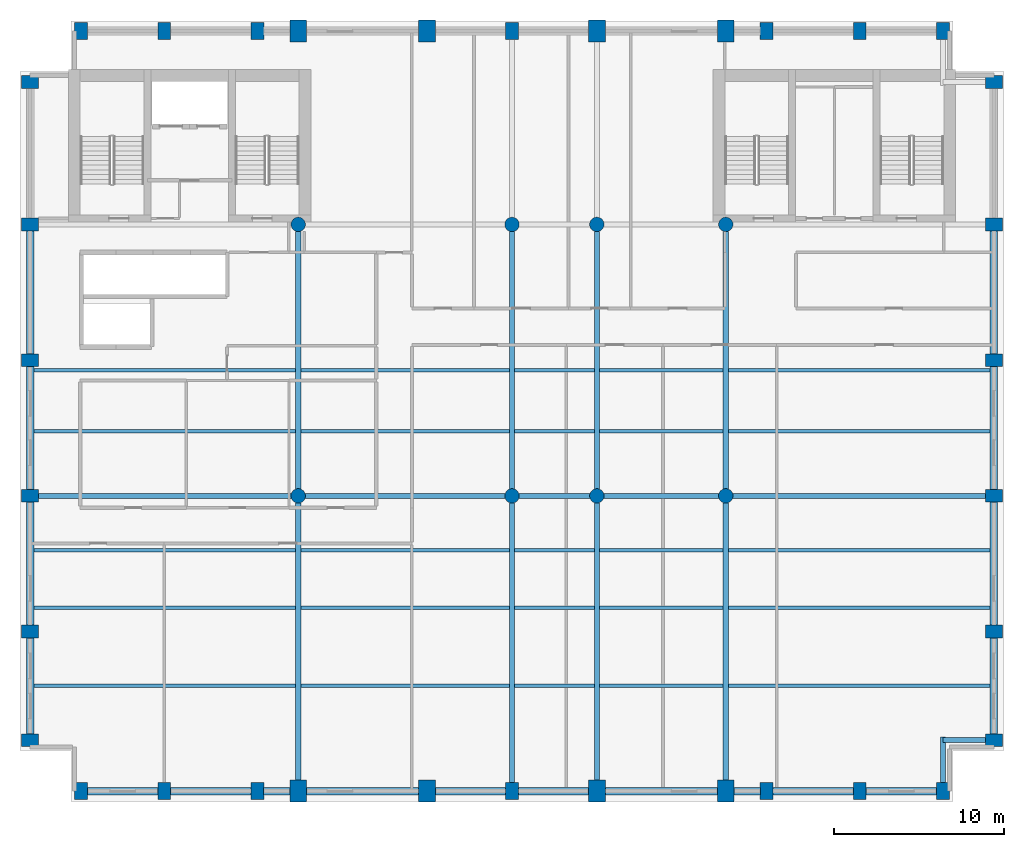
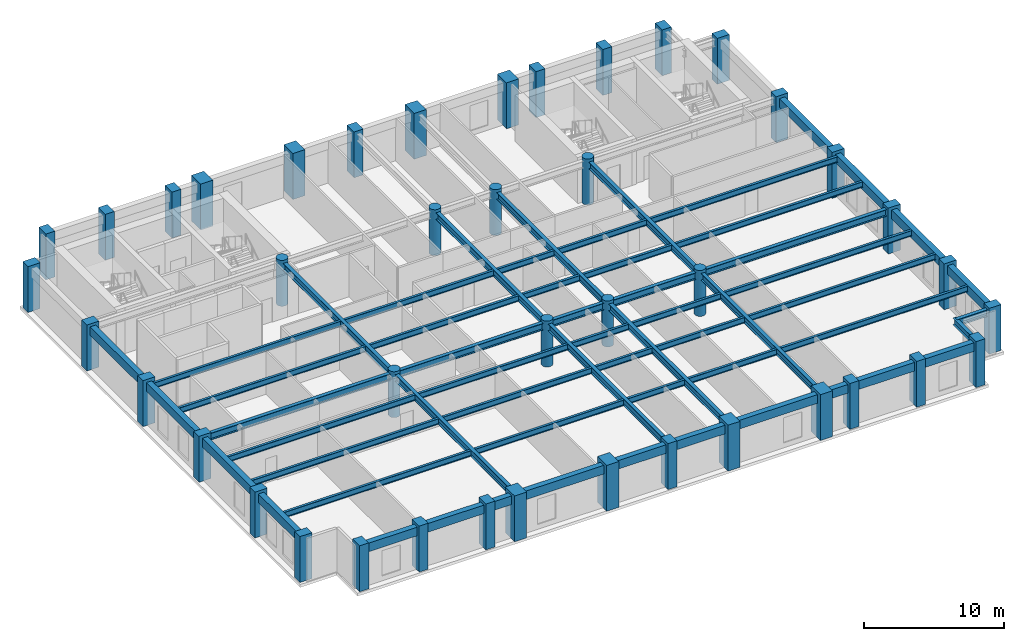
# One storey, part 1 of 8: 58 beams, 42 columns.
"""IFC4 building model written with IfcOpenShell, lengths in metres."""

from ifc_helpers import new_model, si_unit, direction, frame, origin, origin_2d, place, context, subcontext, project, spatial, rectangle, circle, i_section, extrude, material, material_profile, profile_set, type_object, element, save


model = new_model("IFC4")

# Units and contexts
model_context = context("Model", 3, precision=1e-05, world=origin(), true_north=direction((0.0, 1.0)))
body_context = subcontext(model_context, "Body", "Model", "MODEL_VIEW")
ifc_project = project(units=[si_unit("LENGTHUNIT", "METRE"), si_unit("AREAUNIT", "SQUARE_METRE"), si_unit("VOLUMEUNIT", "CUBIC_METRE"), si_unit("PLANEANGLEUNIT", "RADIAN"), si_unit("MASSUNIT", "GRAM", prefix="KILO")], contexts=[model_context])

# Site, building, storey
site_placement = place(None, origin())
site = spatial("IfcSite", under=ifc_project, at=site_placement, CompositionType="ELEMENT")
building_placement = place(site_placement, origin())
building = spatial("IfcBuilding", under=site, at=building_placement, Name="Sulina Concourse Tower", CompositionType="ELEMENT")
storey_placement = place(building_placement, frame((0.0, 0.0, 226.60009765625)))
storey = spatial("IfcBuildingStorey", under=building, at=storey_placement, Name="L55", CompositionType="ELEMENT", Elevation=226.60009765625)

# Columns
ifc_material_1 = material(Name="Precast concrete C50/60", Category="concrete")
ifc_material_profile_1 = material_profile(ifc_material_1, rectangle(XDim=0.75, YDim=1.0, at=origin_2d()), Name="PC 750x1000")
ifc_profile_set_1 = profile_set([ifc_material_profile_1], Name="Precast concrete C50/60")
column_type_1 = type_object("IfcColumnType", Name="Precast Tube Pier Zone 4 750x1000", PredefinedType="COLUMN", material=ifc_profile_set_1)
for number, where, z_axis, x_axis, name in (
    (1, (3.60009765625, 0.60009765625, 0.0), (0.0, 0.0, 1.0), (1.0, 0.0, 0.0), "L55 structural column TP-S-36"),
    (2, (3.60009765625, 45.39990234375, 0.0), (0.0, 0.0, 1.0), (1.0, 0.0, 0.0), "L55 structural column TP-N-36"),
    (3, (8.5, 0.60009765625, 0.0), (0.0, 0.0, 1.0), (1.0, 0.0, 0.0), "L55 structural column TP-S-85"),
    (4, (8.5, 45.39990234375, 0.0), (0.0, 0.0, 1.0), (1.0, 0.0, 0.0), "L55 structural column TP-N-85"),
    (5, (14.0, 0.60009765625, 0.0), (0.0, 0.0, 1.0), (1.0, 0.0, 0.0), "L55 structural column TP-S-140"),
    (6, (14.0, 45.39990234375, 0.0), (0.0, 0.0, 1.0), (1.0, 0.0, 0.0), "L55 structural column TP-N-140"),
    (7, (29.0, 0.60009765625, 0.0), (0.0, 0.0, 1.0), (1.0, 0.0, 0.0), "L55 structural column TP-S-290"),
    (8, (29.0, 45.39990234375, 0.0), (0.0, 0.0, 1.0), (1.0, 0.0, 0.0), "L55 structural column TP-N-290"),
    (9, (44.0, 0.60009765625, 0.0), (0.0, 0.0, 1.0), (1.0, 0.0, 0.0), "L55 structural column TP-S-440"),
    (10, (44.0, 45.39990234375, 0.0), (0.0, 0.0, 1.0), (1.0, 0.0, 0.0), "L55 structural column TP-N-440"),
    (11, (49.5, 0.60009765625, 0.0), (0.0, 0.0, 1.0), (1.0, 0.0, 0.0), "L55 structural column TP-S-495"),
    (12, (49.5, 45.39990234375, 0.0), (0.0, 0.0, 1.0), (1.0, 0.0, 0.0), "L55 structural column TP-N-495"),
    (13, (54.39990234375, 0.60009765625, 0.0), (0.0, 0.0, 1.0), (1.0, 0.0, 0.0), "L55 structural column TP-S-544"),
    (14, (54.39990234375, 45.39990234375, 0.0), (0.0, 0.0, 1.0), (1.0, 0.0, 0.0), "L55 structural column TP-N-544"),
    (15, (0.60009765625, 3.60009765625, 0.0), (0.0, 0.0, 1.0), (0.0, 1.0, 0.0), "L55 structural column TP-W-36"),
    (16, (57.39990234375, 3.60009765625, 0.0), (0.0, 0.0, 1.0), (0.0, 1.0, 0.0), "L55 structural column TP-E-36"),
    (17, (0.60009765625, 10.0, 0.0), (0.0, 0.0, 1.0), (0.0, 1.0, 0.0), "L55 structural column TP-W-100"),
    (18, (57.39990234375, 10.0, 0.0), (0.0, 0.0, 1.0), (0.0, 1.0, 0.0), "L55 structural column TP-E-100"),
    (19, (0.60009765625, 18.0, 0.0), (0.0, 0.0, 1.0), (0.0, 1.0, 0.0), "L55 structural column TP-W-180"),
    (20, (57.39990234375, 18.0, 0.0), (0.0, 0.0, 1.0), (0.0, 1.0, 0.0), "L55 structural column TP-E-180"),
    (21, (0.60009765625, 26.0, 0.0), (0.0, 0.0, 1.0), (0.0, 1.0, 0.0), "L55 structural column TP-W-260"),
    (22, (57.39990234375, 26.0, 0.0), (0.0, 0.0, 1.0), (0.0, 1.0, 0.0), "L55 structural column TP-E-260"),
    (23, (0.60009765625, 34.0, 0.0), (0.0, 0.0, 1.0), (0.0, 1.0, 0.0), "L55 structural column TP-W-340"),
    (24, (57.39990234375, 34.0, 0.0), (0.0, 0.0, 1.0), (0.0, 1.0, 0.0), "L55 structural column TP-E-340"),
    (25, (0.60009765625, 42.39990234375, 0.0), (0.0, 0.0, 1.0), (0.0, 1.0, 0.0), "L55 structural column TP-W-424"),
    (26, (57.39990234375, 42.39990234375, 0.0), (0.0, 0.0, 1.0), (0.0, 1.0, 0.0), "L55 structural column TP-E-424"),
):
    element("IfcColumn", number, at=place(storey_placement, frame(where, z_axis=z_axis, x_axis=x_axis)), inside=storey, type_object=column_type_1, Name=name, PredefinedType="COLUMN", context=body_context, shape_type="SweptSolid", body=[
        extrude(rectangle(XDim=0.75, YDim=1.0, at=origin_2d()), origin(), (0.0, 0.0, 1.0), 4.0),
    ])
ifc_material_2 = material(Name="Concrete C50/60", Category="concrete")
ifc_material_profile_2 = material_profile(ifc_material_2, circle(Radius=0.425048828125, at=origin_2d()), Name="RC D850")
ifc_profile_set_2 = profile_set([ifc_material_profile_2], Name="Concrete C50/60")
column_type_2 = type_object("IfcColumnType", Name="Upper Interior Circular Column D850", PredefinedType="COLUMN", material=ifc_profile_set_2)
for number, where, z_axis, x_axis, name in (
    (27, (16.39990234375, 18.0, 0.0), (0.0, 0.0, 1.0), (1.0, 0.0, 0.0), "L55 structural column IC-M-164"),
    (28, (16.39990234375, 34.0, 0.0), (0.0, 0.0, 1.0), (1.0, 0.0, 0.0), "L55 structural column IC-N-164"),
    (29, (29.0, 18.0, 0.0), (0.0, 0.0, 1.0), (1.0, 0.0, 0.0), "L55 structural column IC-M-290"),
    (30, (29.0, 34.0, 0.0), (0.0, 0.0, 1.0), (1.0, 0.0, 0.0), "L55 structural column IC-N-290"),
    (31, (41.60009765625, 18.0, 0.0), (0.0, 0.0, 1.0), (1.0, 0.0, 0.0), "L55 structural column IC-M-416"),
    (32, (41.60009765625, 34.0, 0.0), (0.0, 0.0, 1.0), (1.0, 0.0, 0.0), "L55 structural column IC-N-416"),
    (33, (34.0, 18.0, 0.0), (0.0, 0.0, 1.0), (1.0, 0.0, 0.0), "L55 structural column IC-M-340"),
    (34, (34.0, 34.0, 0.0), (0.0, 0.0, 1.0), (1.0, 0.0, 0.0), "L55 structural column IC-N-340"),
):
    element("IfcColumn", number, at=place(storey_placement, frame(where, z_axis=z_axis, x_axis=x_axis)), inside=storey, type_object=column_type_2, Name=name, PredefinedType="COLUMN", context=body_context, shape_type="SweptSolid", body=[
        extrude(circle(Radius=0.425048828125, at=origin_2d()), origin(), (0.0, 0.0, 1.0), 4.0),
    ])
ifc_material_3 = material(Name="Concrete C60/75", Category="concrete")
ifc_material_profile_3 = material_profile(ifc_material_3, rectangle(XDim=1.0, YDim=1.300048828125, at=origin_2d()), Name="RC 1000x1300")
ifc_profile_set_3 = profile_set([ifc_material_profile_3], Name="Concrete C60/75")
column_type_3 = type_object("IfcColumnType", Name="Upper Portal Column 1000x1300", PredefinedType="COLUMN", material=ifc_profile_set_3)
for number, where, z_axis, x_axis, name in (
    (35, (16.39990234375, 0.60009765625, 0.0), (0.0, 0.0, 1.0), (1.0, 0.0, 0.0), "L55 structural column TP-S-164"),
    (36, (16.39990234375, 45.39990234375, 0.0), (0.0, 0.0, 1.0), (1.0, 0.0, 0.0), "L55 structural column TP-N-164"),
    (37, (24.0, 0.60009765625, 0.0), (0.0, 0.0, 1.0), (1.0, 0.0, 0.0), "L55 structural column TP-S-240"),
    (38, (24.0, 45.39990234375, 0.0), (0.0, 0.0, 1.0), (1.0, 0.0, 0.0), "L55 structural column TP-N-240"),
    (39, (34.0, 0.60009765625, 0.0), (0.0, 0.0, 1.0), (1.0, 0.0, 0.0), "L55 structural column TP-S-340"),
    (40, (34.0, 45.39990234375, 0.0), (0.0, 0.0, 1.0), (1.0, 0.0, 0.0), "L55 structural column TP-N-340"),
    (41, (41.60009765625, 0.60009765625, 0.0), (0.0, 0.0, 1.0), (1.0, 0.0, 0.0), "L55 structural column TP-S-416"),
    (42, (41.60009765625, 45.39990234375, 0.0), (0.0, 0.0, 1.0), (1.0, 0.0, 0.0), "L55 structural column TP-N-416"),
):
    element("IfcColumn", number, at=place(storey_placement, frame(where, z_axis=z_axis, x_axis=x_axis)), inside=storey, type_object=column_type_3, Name=name, PredefinedType="COLUMN", context=body_context, shape_type="SweptSolid", body=[
        extrude(rectangle(XDim=1.0, YDim=1.300048828125, at=origin_2d()), origin(), (0.0, 0.0, 1.0), 4.0),
    ])

# Beams
ifc_material_4 = material(Name="Steel S355", Category="steel")
ifc_material_profile_4 = material_profile(ifc_material_4, i_section(OverallWidth=0.199951171875, OverallDepth=0.5, WebThickness=0.01025390625, FlangeThickness=0.01611328125, at=origin_2d()), Name="IPE 500")
ifc_profile_set_4 = profile_set([ifc_material_profile_4], Name="Steel S355")
beam_type_1 = type_object("IfcBeamType", Name="Composite Floor Joist IPE500", PredefinedType="JOIST", material=ifc_profile_set_4)
beam_1_placement = place(storey_placement, frame((0.824951171875, 6.800048828125, 3.5), z_axis=(1.0, 0.0, 0.0), x_axis=(0.0, 1.0, 0.0)))
element("IfcBeam", 43, at=beam_1_placement, inside=storey, type_object=beam_type_1, Name="FJ-J06-1-L55", PredefinedType="JOIST", context=body_context, shape_type="SweptSolid", body=[
    extrude(i_section(OverallWidth=0.199951171875, OverallDepth=0.5, WebThickness=0.01025390625, FlangeThickness=0.01611328125, at=origin_2d()), origin(), (0.0, 0.0, 1.0), 15.425048828125),
])
beam_2_placement = place(storey_placement, frame((16.550048828125, 6.800048828125, 3.5), z_axis=(1.0, 0.0, 0.0), x_axis=(0.0, 1.0, 0.0)))
element("IfcBeam", 44, at=beam_2_placement, inside=storey, type_object=beam_type_1, Name="FJ-J06-2-L55", PredefinedType="JOIST", context=body_context, shape_type="SweptSolid", body=[
    extrude(i_section(OverallWidth=0.199951171875, OverallDepth=0.5, WebThickness=0.01025390625, FlangeThickness=0.01611328125, at=origin_2d()), origin(), (0.0, 0.0, 1.0), 12.300048828125),
])
beam_3_placement = place(storey_placement, frame((29.14990234375, 6.800048828125, 3.5), z_axis=(1.0, 0.0, 0.0), x_axis=(0.0, 1.0, 0.0)))
element("IfcBeam", 45, at=beam_3_placement, inside=storey, type_object=beam_type_1, Name="FJ-J06-3-L55", PredefinedType="JOIST", context=body_context, shape_type="SweptSolid", body=[
    extrude(i_section(OverallWidth=0.199951171875, OverallDepth=0.5, WebThickness=0.01025390625, FlangeThickness=0.01611328125, at=origin_2d()), origin(), (0.0, 0.0, 1.0), 4.7001953125),
])
beam_4_placement = place(storey_placement, frame((34.14990234375, 6.800048828125, 3.5), z_axis=(1.0, 0.0, 0.0), x_axis=(0.0, 1.0, 0.0)))
element("IfcBeam", 46, at=beam_4_placement, inside=storey, type_object=beam_type_1, Name="FJ-J06-4-L55", PredefinedType="JOIST", context=body_context, shape_type="SweptSolid", body=[
    extrude(i_section(OverallWidth=0.199951171875, OverallDepth=0.5, WebThickness=0.01025390625, FlangeThickness=0.01611328125, at=origin_2d()), origin(), (0.0, 0.0, 1.0), 7.300048828125),
])
for number, where, z_axis, x_axis, name in (
    (47, (41.75, 6.800048828125, 3.5), (1.0, 0.0, 0.0), (0.0, 1.0, 0.0), "FJ-J06-5-L55"),
    (48, (0.824951171875, 11.39990234375, 3.5), (1.0, 0.0, 0.0), (0.0, 1.0, 0.0), "FJ-J11-1-L55"),
):
    element("IfcBeam", number, at=place(storey_placement, frame(where, z_axis=z_axis, x_axis=x_axis)), inside=storey, type_object=beam_type_1, Name=name, PredefinedType="JOIST", context=body_context, shape_type="SweptSolid", body=[
        extrude(i_section(OverallWidth=0.199951171875, OverallDepth=0.5, WebThickness=0.01025390625, FlangeThickness=0.01611328125, at=origin_2d()), origin(), (0.0, 0.0, 1.0), 15.425048828125),
    ])
beam_5_placement = place(storey_placement, frame((16.550048828125, 11.39990234375, 3.5), z_axis=(1.0, 0.0, 0.0), x_axis=(0.0, 1.0, 0.0)))
element("IfcBeam", 49, at=beam_5_placement, inside=storey, type_object=beam_type_1, Name="FJ-J11-2-L55", PredefinedType="JOIST", context=body_context, shape_type="SweptSolid", body=[
    extrude(i_section(OverallWidth=0.199951171875, OverallDepth=0.5, WebThickness=0.01025390625, FlangeThickness=0.01611328125, at=origin_2d()), origin(), (0.0, 0.0, 1.0), 12.300048828125),
])
beam_6_placement = place(storey_placement, frame((29.14990234375, 11.39990234375, 3.5), z_axis=(1.0, 0.0, 0.0), x_axis=(0.0, 1.0, 0.0)))
element("IfcBeam", 50, at=beam_6_placement, inside=storey, type_object=beam_type_1, Name="FJ-J11-3-L55", PredefinedType="JOIST", context=body_context, shape_type="SweptSolid", body=[
    extrude(i_section(OverallWidth=0.199951171875, OverallDepth=0.5, WebThickness=0.01025390625, FlangeThickness=0.01611328125, at=origin_2d()), origin(), (0.0, 0.0, 1.0), 4.7001953125),
])
beam_7_placement = place(storey_placement, frame((34.14990234375, 11.39990234375, 3.5), z_axis=(1.0, 0.0, 0.0), x_axis=(0.0, 1.0, 0.0)))
element("IfcBeam", 51, at=beam_7_placement, inside=storey, type_object=beam_type_1, Name="FJ-J11-4-L55", PredefinedType="JOIST", context=body_context, shape_type="SweptSolid", body=[
    extrude(i_section(OverallWidth=0.199951171875, OverallDepth=0.5, WebThickness=0.01025390625, FlangeThickness=0.01611328125, at=origin_2d()), origin(), (0.0, 0.0, 1.0), 7.300048828125),
])
for number, where, z_axis, x_axis, name in (
    (52, (41.75, 11.39990234375, 3.5), (1.0, 0.0, 0.0), (0.0, 1.0, 0.0), "FJ-J11-5-L55"),
    (53, (0.824951171875, 14.800048828125, 3.5), (1.0, 0.0, 0.0), (0.0, 1.0, 0.0), "FJ-J15-1-L55"),
):
    element("IfcBeam", number, at=place(storey_placement, frame(where, z_axis=z_axis, x_axis=x_axis)), inside=storey, type_object=beam_type_1, Name=name, PredefinedType="JOIST", context=body_context, shape_type="SweptSolid", body=[
        extrude(i_section(OverallWidth=0.199951171875, OverallDepth=0.5, WebThickness=0.01025390625, FlangeThickness=0.01611328125, at=origin_2d()), origin(), (0.0, 0.0, 1.0), 15.425048828125),
    ])
beam_8_placement = place(storey_placement, frame((16.550048828125, 14.800048828125, 3.5), z_axis=(1.0, 0.0, 0.0), x_axis=(0.0, 1.0, 0.0)))
element("IfcBeam", 54, at=beam_8_placement, inside=storey, type_object=beam_type_1, Name="FJ-J15-2-L55", PredefinedType="JOIST", context=body_context, shape_type="SweptSolid", body=[
    extrude(i_section(OverallWidth=0.199951171875, OverallDepth=0.5, WebThickness=0.01025390625, FlangeThickness=0.01611328125, at=origin_2d()), origin(), (0.0, 0.0, 1.0), 12.300048828125),
])
beam_9_placement = place(storey_placement, frame((29.14990234375, 14.800048828125, 3.5), z_axis=(1.0, 0.0, 0.0), x_axis=(0.0, 1.0, 0.0)))
element("IfcBeam", 55, at=beam_9_placement, inside=storey, type_object=beam_type_1, Name="FJ-J15-3-L55", PredefinedType="JOIST", context=body_context, shape_type="SweptSolid", body=[
    extrude(i_section(OverallWidth=0.199951171875, OverallDepth=0.5, WebThickness=0.01025390625, FlangeThickness=0.01611328125, at=origin_2d()), origin(), (0.0, 0.0, 1.0), 4.7001953125),
])
beam_10_placement = place(storey_placement, frame((34.14990234375, 14.800048828125, 3.5), z_axis=(1.0, 0.0, 0.0), x_axis=(0.0, 1.0, 0.0)))
element("IfcBeam", 56, at=beam_10_placement, inside=storey, type_object=beam_type_1, Name="FJ-J15-4-L55", PredefinedType="JOIST", context=body_context, shape_type="SweptSolid", body=[
    extrude(i_section(OverallWidth=0.199951171875, OverallDepth=0.5, WebThickness=0.01025390625, FlangeThickness=0.01611328125, at=origin_2d()), origin(), (0.0, 0.0, 1.0), 7.300048828125),
])
for number, where, z_axis, x_axis, name in (
    (57, (41.75, 14.800048828125, 3.5), (1.0, 0.0, 0.0), (0.0, 1.0, 0.0), "FJ-J15-5-L55"),
    (58, (0.824951171875, 21.800048828125, 3.5), (1.0, 0.0, 0.0), (0.0, 1.0, 0.0), "FJ-J22-1-L55"),
):
    element("IfcBeam", number, at=place(storey_placement, frame(where, z_axis=z_axis, x_axis=x_axis)), inside=storey, type_object=beam_type_1, Name=name, PredefinedType="JOIST", context=body_context, shape_type="SweptSolid", body=[
        extrude(i_section(OverallWidth=0.199951171875, OverallDepth=0.5, WebThickness=0.01025390625, FlangeThickness=0.01611328125, at=origin_2d()), origin(), (0.0, 0.0, 1.0), 15.425048828125),
    ])
beam_11_placement = place(storey_placement, frame((16.550048828125, 21.800048828125, 3.5), z_axis=(1.0, 0.0, 0.0), x_axis=(0.0, 1.0, 0.0)))
element("IfcBeam", 59, at=beam_11_placement, inside=storey, type_object=beam_type_1, Name="FJ-J22-2-L55", PredefinedType="JOIST", context=body_context, shape_type="SweptSolid", body=[
    extrude(i_section(OverallWidth=0.199951171875, OverallDepth=0.5, WebThickness=0.01025390625, FlangeThickness=0.01611328125, at=origin_2d()), origin(), (0.0, 0.0, 1.0), 12.300048828125),
])
beam_12_placement = place(storey_placement, frame((29.14990234375, 21.800048828125, 3.5), z_axis=(1.0, 0.0, 0.0), x_axis=(0.0, 1.0, 0.0)))
element("IfcBeam", 60, at=beam_12_placement, inside=storey, type_object=beam_type_1, Name="FJ-J22-3-L55", PredefinedType="JOIST", context=body_context, shape_type="SweptSolid", body=[
    extrude(i_section(OverallWidth=0.199951171875, OverallDepth=0.5, WebThickness=0.01025390625, FlangeThickness=0.01611328125, at=origin_2d()), origin(), (0.0, 0.0, 1.0), 4.7001953125),
])
beam_13_placement = place(storey_placement, frame((34.14990234375, 21.800048828125, 3.5), z_axis=(1.0, 0.0, 0.0), x_axis=(0.0, 1.0, 0.0)))
element("IfcBeam", 61, at=beam_13_placement, inside=storey, type_object=beam_type_1, Name="FJ-J22-4-L55", PredefinedType="JOIST", context=body_context, shape_type="SweptSolid", body=[
    extrude(i_section(OverallWidth=0.199951171875, OverallDepth=0.5, WebThickness=0.01025390625, FlangeThickness=0.01611328125, at=origin_2d()), origin(), (0.0, 0.0, 1.0), 7.300048828125),
])
for number, where, z_axis, x_axis, name in (
    (62, (41.75, 21.800048828125, 3.5), (1.0, 0.0, 0.0), (0.0, 1.0, 0.0), "FJ-J22-5-L55"),
    (63, (0.824951171875, 25.39990234375, 3.5), (1.0, 0.0, 0.0), (0.0, 1.0, 0.0), "FJ-J25-1-L55"),
):
    element("IfcBeam", number, at=place(storey_placement, frame(where, z_axis=z_axis, x_axis=x_axis)), inside=storey, type_object=beam_type_1, Name=name, PredefinedType="JOIST", context=body_context, shape_type="SweptSolid", body=[
        extrude(i_section(OverallWidth=0.199951171875, OverallDepth=0.5, WebThickness=0.01025390625, FlangeThickness=0.01611328125, at=origin_2d()), origin(), (0.0, 0.0, 1.0), 15.425048828125),
    ])
beam_14_placement = place(storey_placement, frame((16.550048828125, 25.39990234375, 3.5), z_axis=(1.0, 0.0, 0.0), x_axis=(0.0, 1.0, 0.0)))
element("IfcBeam", 64, at=beam_14_placement, inside=storey, type_object=beam_type_1, Name="FJ-J25-2-L55", PredefinedType="JOIST", context=body_context, shape_type="SweptSolid", body=[
    extrude(i_section(OverallWidth=0.199951171875, OverallDepth=0.5, WebThickness=0.01025390625, FlangeThickness=0.01611328125, at=origin_2d()), origin(), (0.0, 0.0, 1.0), 12.300048828125),
])
beam_15_placement = place(storey_placement, frame((29.14990234375, 25.39990234375, 3.5), z_axis=(1.0, 0.0, 0.0), x_axis=(0.0, 1.0, 0.0)))
element("IfcBeam", 65, at=beam_15_placement, inside=storey, type_object=beam_type_1, Name="FJ-J25-3-L55", PredefinedType="JOIST", context=body_context, shape_type="SweptSolid", body=[
    extrude(i_section(OverallWidth=0.199951171875, OverallDepth=0.5, WebThickness=0.01025390625, FlangeThickness=0.01611328125, at=origin_2d()), origin(), (0.0, 0.0, 1.0), 4.7001953125),
])
beam_16_placement = place(storey_placement, frame((34.14990234375, 25.39990234375, 3.5), z_axis=(1.0, 0.0, 0.0), x_axis=(0.0, 1.0, 0.0)))
element("IfcBeam", 66, at=beam_16_placement, inside=storey, type_object=beam_type_1, Name="FJ-J25-4-L55", PredefinedType="JOIST", context=body_context, shape_type="SweptSolid", body=[
    extrude(i_section(OverallWidth=0.199951171875, OverallDepth=0.5, WebThickness=0.01025390625, FlangeThickness=0.01611328125, at=origin_2d()), origin(), (0.0, 0.0, 1.0), 7.300048828125),
])
beam_17_placement = place(storey_placement, frame((41.75, 25.39990234375, 3.5), z_axis=(1.0, 0.0, 0.0), x_axis=(0.0, 1.0, 0.0)))
element("IfcBeam", 67, at=beam_17_placement, inside=storey, type_object=beam_type_1, Name="FJ-J25-5-L55", PredefinedType="JOIST", context=body_context, shape_type="SweptSolid", body=[
    extrude(i_section(OverallWidth=0.199951171875, OverallDepth=0.5, WebThickness=0.01025390625, FlangeThickness=0.01611328125, at=origin_2d()), origin(), (0.0, 0.0, 1.0), 15.425048828125),
])
ifc_material_5 = material(Name="Steel S355", Category="steel")
ifc_material_profile_5 = material_profile(ifc_material_5, i_section(OverallWidth=0.300048828125, OverallDepth=0.60009765625, WebThickness=0.015380859375, FlangeThickness=0.030029296875, at=origin_2d()), Name="HE 600 B")
ifc_profile_set_5 = profile_set([ifc_material_profile_5], Name="Steel S355")
beam_type_2 = type_object("IfcBeamType", Name="Floor Primary Girder Zone 3 HE600B", PredefinedType="BEAM", material=ifc_profile_set_5)
beam_18_placement = place(storey_placement, frame((54.39990234375, 3.60009765625, 3.449951171875), z_axis=(1.0, 0.0, 0.0), x_axis=(0.0, 1.0, 0.0)))
element("IfcBeam", 68, at=beam_18_placement, inside=storey, type_object=beam_type_2, Name="TIE-SE-L55", PredefinedType="BEAM", context=body_context, shape_type="SweptSolid", body=[
    extrude(i_section(OverallWidth=0.300048828125, OverallDepth=0.60009765625, WebThickness=0.015380859375, FlangeThickness=0.030029296875, at=origin_2d()), origin(), (0.0, 0.0, 1.0), 2.64501953125),
])
beam_19_placement = place(storey_placement, frame((54.39990234375, 0.955078125, 3.449951171875), z_axis=(0.0, 1.0, 0.0), x_axis=(-1.0, 0.0, 0.0)))
element("IfcBeam", 69, at=beam_19_placement, inside=storey, type_object=beam_type_2, Name="TIE-SES-L55", PredefinedType="BEAM", context=body_context, shape_type="SweptSolid", body=[
    extrude(i_section(OverallWidth=0.300048828125, OverallDepth=0.60009765625, WebThickness=0.015380859375, FlangeThickness=0.030029296875, at=origin_2d()), origin(), (0.0, 0.0, 1.0), 2.844970703125),
])
beam_20_placement = place(storey_placement, frame((0.955078125, 18.0, 3.449951171875), z_axis=(1.0, 0.0, 0.0), x_axis=(0.0, 1.0, 0.0)))
element("IfcBeam", 70, at=beam_20_placement, inside=storey, type_object=beam_type_2, Name="FG-EW1-L55", PredefinedType="BEAM", context=body_context, shape_type="SweptSolid", body=[
    extrude(i_section(OverallWidth=0.300048828125, OverallDepth=0.60009765625, WebThickness=0.015380859375, FlangeThickness=0.030029296875, at=origin_2d()), origin(), (0.0, 0.0, 1.0), 15.0400390625),
])
beam_21_placement = place(storey_placement, frame((16.804931640625, 18.0, 3.449951171875), z_axis=(1.0, 0.0, 0.0), x_axis=(0.0, 1.0, 0.0)))
element("IfcBeam", 71, at=beam_21_placement, inside=storey, type_object=beam_type_2, Name="FG-EW2-L55", PredefinedType="BEAM", context=body_context, shape_type="SweptSolid", body=[
    extrude(i_section(OverallWidth=0.300048828125, OverallDepth=0.60009765625, WebThickness=0.015380859375, FlangeThickness=0.030029296875, at=origin_2d()), origin(), (0.0, 0.0, 1.0), 11.7900390625),
])
beam_22_placement = place(storey_placement, frame((29.405029296875, 18.0, 3.449951171875), z_axis=(1.0, 0.0, 0.0), x_axis=(0.0, 1.0, 0.0)))
element("IfcBeam", 72, at=beam_22_placement, inside=storey, type_object=beam_type_2, Name="FG-EW3-L55", PredefinedType="BEAM", context=body_context, shape_type="SweptSolid", body=[
    extrude(i_section(OverallWidth=0.300048828125, OverallDepth=0.60009765625, WebThickness=0.015380859375, FlangeThickness=0.030029296875, at=origin_2d()), origin(), (0.0, 0.0, 1.0), 4.18994140625),
])
beam_23_placement = place(storey_placement, frame((34.405029296875, 18.0, 3.449951171875), z_axis=(1.0, 0.0, 0.0), x_axis=(0.0, 1.0, 0.0)))
element("IfcBeam", 73, at=beam_23_placement, inside=storey, type_object=beam_type_2, Name="FG-EW4-L55", PredefinedType="BEAM", context=body_context, shape_type="SweptSolid", body=[
    extrude(i_section(OverallWidth=0.300048828125, OverallDepth=0.60009765625, WebThickness=0.015380859375, FlangeThickness=0.030029296875, at=origin_2d()), origin(), (0.0, 0.0, 1.0), 6.7900390625),
])
beam_24_placement = place(storey_placement, frame((42.0048828125, 18.0, 3.449951171875), z_axis=(1.0, 0.0, 0.0), x_axis=(0.0, 1.0, 0.0)))
element("IfcBeam", 74, at=beam_24_placement, inside=storey, type_object=beam_type_2, Name="FG-EW5-L55", PredefinedType="BEAM", context=body_context, shape_type="SweptSolid", body=[
    extrude(i_section(OverallWidth=0.300048828125, OverallDepth=0.60009765625, WebThickness=0.015380859375, FlangeThickness=0.030029296875, at=origin_2d()), origin(), (0.0, 0.0, 1.0), 15.0400390625),
])
beam_25_placement = place(storey_placement, frame((16.39990234375, 1.080078125, 3.449951171875), z_axis=(0.0, 1.0, 0.0), x_axis=(-1.0, 0.0, 0.0)))
element("IfcBeam", 75, at=beam_25_placement, inside=storey, type_object=beam_type_2, Name="FG-NSA-16-L55", PredefinedType="BEAM", context=body_context, shape_type="SweptSolid", body=[
    extrude(i_section(OverallWidth=0.300048828125, OverallDepth=0.60009765625, WebThickness=0.015380859375, FlangeThickness=0.030029296875, at=origin_2d()), origin(), (0.0, 0.0, 1.0), 16.514892578125),
])
beam_26_placement = place(storey_placement, frame((16.39990234375, 18.405029296875, 3.449951171875), z_axis=(0.0, 1.0, 0.0), x_axis=(-1.0, 0.0, 0.0)))
element("IfcBeam", 76, at=beam_26_placement, inside=storey, type_object=beam_type_2, Name="FG-NSB-16-L55", PredefinedType="BEAM", context=body_context, shape_type="SweptSolid", body=[
    extrude(i_section(OverallWidth=0.300048828125, OverallDepth=0.60009765625, WebThickness=0.015380859375, FlangeThickness=0.030029296875, at=origin_2d()), origin(), (0.0, 0.0, 1.0), 15.18994140625),
])
beam_27_placement = place(storey_placement, frame((29.0, 0.955078125, 3.449951171875), z_axis=(0.0, 1.0, 0.0), x_axis=(-1.0, 0.0, 0.0)))
element("IfcBeam", 77, at=beam_27_placement, inside=storey, type_object=beam_type_2, Name="FG-NSA-29-L55", PredefinedType="BEAM", context=body_context, shape_type="SweptSolid", body=[
    extrude(i_section(OverallWidth=0.300048828125, OverallDepth=0.60009765625, WebThickness=0.015380859375, FlangeThickness=0.030029296875, at=origin_2d()), origin(), (0.0, 0.0, 1.0), 16.639892578125),
])
beam_28_placement = place(storey_placement, frame((29.0, 18.405029296875, 3.449951171875), z_axis=(0.0, 1.0, 0.0), x_axis=(-1.0, 0.0, 0.0)))
element("IfcBeam", 78, at=beam_28_placement, inside=storey, type_object=beam_type_2, Name="FG-NSB-29-L55", PredefinedType="BEAM", context=body_context, shape_type="SweptSolid", body=[
    extrude(i_section(OverallWidth=0.300048828125, OverallDepth=0.60009765625, WebThickness=0.015380859375, FlangeThickness=0.030029296875, at=origin_2d()), origin(), (0.0, 0.0, 1.0), 15.18994140625),
])
beam_29_placement = place(storey_placement, frame((34.0, 1.080078125, 3.449951171875), z_axis=(0.0, 1.0, 0.0), x_axis=(-1.0, 0.0, 0.0)))
element("IfcBeam", 79, at=beam_29_placement, inside=storey, type_object=beam_type_2, Name="FG-NSA-34-L55", PredefinedType="BEAM", context=body_context, shape_type="SweptSolid", body=[
    extrude(i_section(OverallWidth=0.300048828125, OverallDepth=0.60009765625, WebThickness=0.015380859375, FlangeThickness=0.030029296875, at=origin_2d()), origin(), (0.0, 0.0, 1.0), 16.514892578125),
])
beam_30_placement = place(storey_placement, frame((34.0, 18.405029296875, 3.449951171875), z_axis=(0.0, 1.0, 0.0), x_axis=(-1.0, 0.0, 0.0)))
element("IfcBeam", 80, at=beam_30_placement, inside=storey, type_object=beam_type_2, Name="FG-NSB-34-L55", PredefinedType="BEAM", context=body_context, shape_type="SweptSolid", body=[
    extrude(i_section(OverallWidth=0.300048828125, OverallDepth=0.60009765625, WebThickness=0.015380859375, FlangeThickness=0.030029296875, at=origin_2d()), origin(), (0.0, 0.0, 1.0), 15.18994140625),
])
beam_31_placement = place(storey_placement, frame((41.60009765625, 1.080078125, 3.449951171875), z_axis=(0.0, 1.0, 0.0), x_axis=(-1.0, 0.0, 0.0)))
element("IfcBeam", 81, at=beam_31_placement, inside=storey, type_object=beam_type_2, Name="FG-NSA-41-L55", PredefinedType="BEAM", context=body_context, shape_type="SweptSolid", body=[
    extrude(i_section(OverallWidth=0.300048828125, OverallDepth=0.60009765625, WebThickness=0.015380859375, FlangeThickness=0.030029296875, at=origin_2d()), origin(), (0.0, 0.0, 1.0), 16.514892578125),
])
beam_32_placement = place(storey_placement, frame((41.60009765625, 18.405029296875, 3.449951171875), z_axis=(0.0, 1.0, 0.0), x_axis=(-1.0, 0.0, 0.0)))
element("IfcBeam", 82, at=beam_32_placement, inside=storey, type_object=beam_type_2, Name="FG-NSB-41-L55", PredefinedType="BEAM", context=body_context, shape_type="SweptSolid", body=[
    extrude(i_section(OverallWidth=0.300048828125, OverallDepth=0.60009765625, WebThickness=0.015380859375, FlangeThickness=0.030029296875, at=origin_2d()), origin(), (0.0, 0.0, 1.0), 15.18994140625),
])
ifc_material_6 = material(Name="Precast concrete C50/60", Category="concrete")
ifc_material_profile_6 = material_profile(ifc_material_6, rectangle(XDim=0.449951171875, YDim=0.75, at=origin_2d()), Name="RC 450x750")
ifc_profile_set_6 = profile_set([ifc_material_profile_6], Name="Precast concrete C50/60")
beam_type_3 = type_object("IfcBeamType", Name="Upper Precast Spandrel Edge Beam 450x750", PredefinedType="BEAM", material=ifc_profile_set_6)
beam_33_placement = place(storey_placement, frame((3.955078125, 0.60009765625, 3.375), z_axis=(1.0, 0.0, 0.0), x_axis=(0.0, 1.0, 0.0)))
element("IfcBeam", 83, at=beam_33_placement, inside=storey, type_object=beam_type_3, Name="SP-S1-L55", PredefinedType="BEAM", context=body_context, shape_type="SweptSolid", body=[
    extrude(rectangle(XDim=0.449951171875, YDim=0.75, at=origin_2d()), origin(), (0.0, 0.0, 1.0), 4.18994140625),
])
beam_34_placement = place(storey_placement, frame((8.85498046875, 0.60009765625, 3.375), z_axis=(1.0, 0.0, 0.0), x_axis=(0.0, 1.0, 0.0)))
element("IfcBeam", 84, at=beam_34_placement, inside=storey, type_object=beam_type_3, Name="SP-S2-L55", PredefinedType="BEAM", context=body_context, shape_type="SweptSolid", body=[
    extrude(rectangle(XDim=0.449951171875, YDim=0.75, at=origin_2d()), origin(), (0.0, 0.0, 1.0), 4.7900390625),
])
beam_35_placement = place(storey_placement, frame((14.35498046875, 0.60009765625, 3.375), z_axis=(1.0, 0.0, 0.0), x_axis=(0.0, 1.0, 0.0)))
element("IfcBeam", 85, at=beam_35_placement, inside=storey, type_object=beam_type_3, Name="SP-S3-L55", PredefinedType="BEAM", context=body_context, shape_type="SweptSolid", body=[
    extrude(rectangle(XDim=0.449951171875, YDim=0.75, at=origin_2d()), origin(), (0.0, 0.0, 1.0), 1.56494140625),
])
beam_36_placement = place(storey_placement, frame((16.8798828125, 0.60009765625, 3.375), z_axis=(1.0, 0.0, 0.0), x_axis=(0.0, 1.0, 0.0)))
element("IfcBeam", 86, at=beam_36_placement, inside=storey, type_object=beam_type_3, Name="SP-S4-L55", PredefinedType="BEAM", context=body_context, shape_type="SweptSolid", body=[
    extrude(rectangle(XDim=0.449951171875, YDim=0.75, at=origin_2d()), origin(), (0.0, 0.0, 1.0), 6.64013671875),
])
for number, where, z_axis, x_axis, name in (
    (87, (24.47998046875, 0.60009765625, 3.375), (1.0, 0.0, 0.0), (0.0, 1.0, 0.0), "SP-S5-L55"),
    (88, (29.35498046875, 0.60009765625, 3.375), (1.0, 0.0, 0.0), (0.0, 1.0, 0.0), "SP-S6-L55"),
):
    element("IfcBeam", number, at=place(storey_placement, frame(where, z_axis=z_axis, x_axis=x_axis)), inside=storey, type_object=beam_type_3, Name=name, PredefinedType="BEAM", context=body_context, shape_type="SweptSolid", body=[
        extrude(rectangle(XDim=0.449951171875, YDim=0.75, at=origin_2d()), origin(), (0.0, 0.0, 1.0), 4.1650390625),
    ])
beam_37_placement = place(storey_placement, frame((34.47998046875, 0.60009765625, 3.375), z_axis=(1.0, 0.0, 0.0), x_axis=(0.0, 1.0, 0.0)))
element("IfcBeam", 89, at=beam_37_placement, inside=storey, type_object=beam_type_3, Name="SP-S7-L55", PredefinedType="BEAM", context=body_context, shape_type="SweptSolid", body=[
    extrude(rectangle(XDim=0.449951171875, YDim=0.75, at=origin_2d()), origin(), (0.0, 0.0, 1.0), 6.64013671875),
])
beam_38_placement = place(storey_placement, frame((42.080078125, 0.60009765625, 3.375), z_axis=(1.0, 0.0, 0.0), x_axis=(0.0, 1.0, 0.0)))
element("IfcBeam", 90, at=beam_38_placement, inside=storey, type_object=beam_type_3, Name="SP-S8-L55", PredefinedType="BEAM", context=body_context, shape_type="SweptSolid", body=[
    extrude(rectangle(XDim=0.449951171875, YDim=0.75, at=origin_2d()), origin(), (0.0, 0.0, 1.0), 1.56494140625),
])
beam_39_placement = place(storey_placement, frame((44.35498046875, 0.60009765625, 3.375), z_axis=(1.0, 0.0, 0.0), x_axis=(0.0, 1.0, 0.0)))
element("IfcBeam", 91, at=beam_39_placement, inside=storey, type_object=beam_type_3, Name="SP-S9-L55", PredefinedType="BEAM", context=body_context, shape_type="SweptSolid", body=[
    extrude(rectangle(XDim=0.449951171875, YDim=0.75, at=origin_2d()), origin(), (0.0, 0.0, 1.0), 4.7900390625),
])
beam_40_placement = place(storey_placement, frame((49.85498046875, 0.60009765625, 3.375), z_axis=(1.0, 0.0, 0.0), x_axis=(0.0, 1.0, 0.0)))
element("IfcBeam", 92, at=beam_40_placement, inside=storey, type_object=beam_type_3, Name="SP-S10-L55", PredefinedType="BEAM", context=body_context, shape_type="SweptSolid", body=[
    extrude(rectangle(XDim=0.449951171875, YDim=0.75, at=origin_2d()), origin(), (0.0, 0.0, 1.0), 4.18994140625),
])
beam_41_placement = place(storey_placement, frame((0.60009765625, 3.955078125, 3.375), z_axis=(0.0, 1.0, 0.0), x_axis=(-1.0, 0.0, 0.0)))
element("IfcBeam", 93, at=beam_41_placement, inside=storey, type_object=beam_type_3, Name="SP-W1-L55", PredefinedType="BEAM", context=body_context, shape_type="SweptSolid", body=[
    extrude(rectangle(XDim=0.449951171875, YDim=0.75, at=origin_2d()), origin(), (0.0, 0.0, 1.0), 5.68994140625),
])
for number, where, z_axis, x_axis, name in (
    (94, (0.60009765625, 10.35498046875, 3.375), (0.0, 1.0, 0.0), (-1.0, 0.0, 0.0), "SP-W2-L55"),
    (95, (0.60009765625, 18.35498046875, 3.375), (0.0, 1.0, 0.0), (-1.0, 0.0, 0.0), "SP-W3-L55"),
    (96, (0.60009765625, 26.35498046875, 3.375), (0.0, 1.0, 0.0), (-1.0, 0.0, 0.0), "SP-W4-L55"),
):
    element("IfcBeam", number, at=place(storey_placement, frame(where, z_axis=z_axis, x_axis=x_axis)), inside=storey, type_object=beam_type_3, Name=name, PredefinedType="BEAM", context=body_context, shape_type="SweptSolid", body=[
        extrude(rectangle(XDim=0.449951171875, YDim=0.75, at=origin_2d()), origin(), (0.0, 0.0, 1.0), 7.2900390625),
    ])
beam_42_placement = place(storey_placement, frame((57.39990234375, 3.955078125, 3.375), z_axis=(0.0, 1.0, 0.0), x_axis=(-1.0, 0.0, 0.0)))
element("IfcBeam", 97, at=beam_42_placement, inside=storey, type_object=beam_type_3, Name="SP-E1-L55", PredefinedType="BEAM", context=body_context, shape_type="SweptSolid", body=[
    extrude(rectangle(XDim=0.449951171875, YDim=0.75, at=origin_2d()), origin(), (0.0, 0.0, 1.0), 5.68994140625),
])
for number, where, z_axis, x_axis, name in (
    (98, (57.39990234375, 10.35498046875, 3.375), (0.0, 1.0, 0.0), (-1.0, 0.0, 0.0), "SP-E2-L55"),
    (99, (57.39990234375, 18.35498046875, 3.375), (0.0, 1.0, 0.0), (-1.0, 0.0, 0.0), "SP-E3-L55"),
    (100, (57.39990234375, 26.35498046875, 3.375), (0.0, 1.0, 0.0), (-1.0, 0.0, 0.0), "SP-E4-L55"),
):
    element("IfcBeam", number, at=place(storey_placement, frame(where, z_axis=z_axis, x_axis=x_axis)), inside=storey, type_object=beam_type_3, Name=name, PredefinedType="BEAM", context=body_context, shape_type="SweptSolid", body=[
        extrude(rectangle(XDim=0.449951171875, YDim=0.75, at=origin_2d()), origin(), (0.0, 0.0, 1.0), 7.2900390625),
    ])

save(model, "model.ifc")
